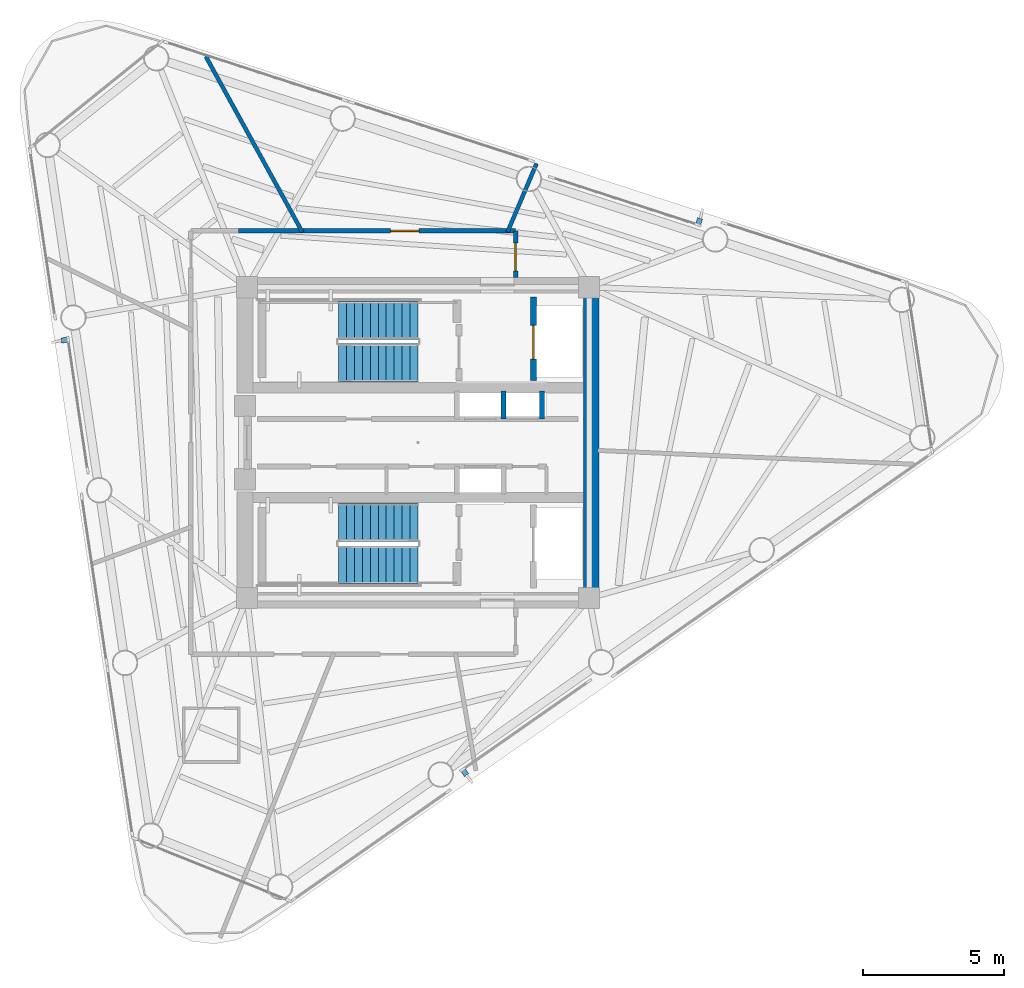
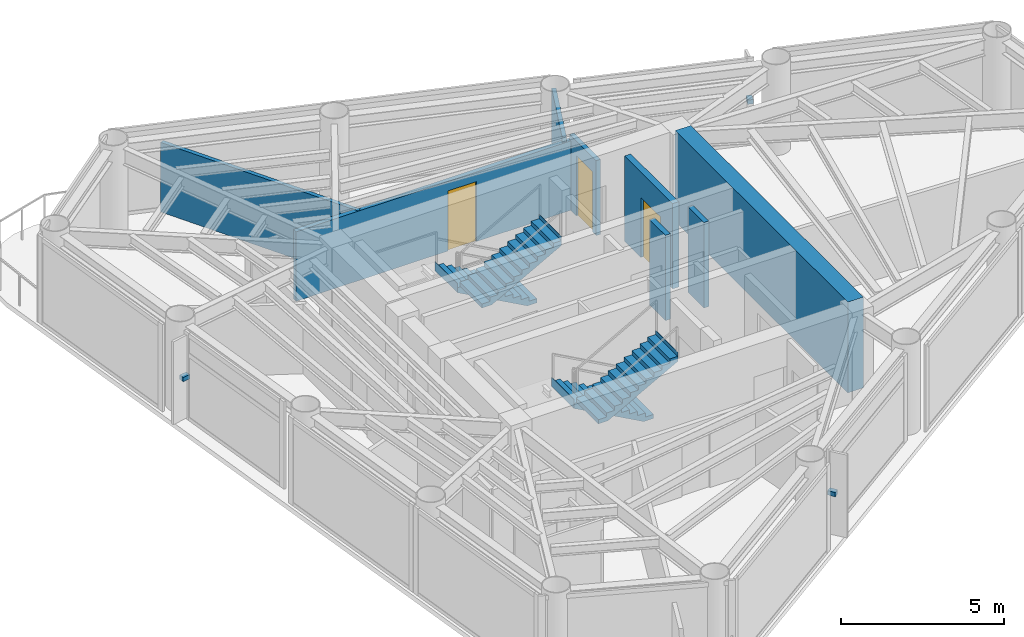
# One storey, part 6 of 9: 8 walls, 4 stair flights, 3 discrete accessories, 3 doors, 3 openings, 2 elements without a shape of their own.
"""IFC4 building model written with IfcOpenShell, lengths in metres."""

from ifc_helpers import new_model, si_unit, direction, frame, frame_2d, origin, origin_2d, place, context, subcontext, project, spatial, polyline, rectangle, outline, extrude, source, transform, mapped, material, layer, layer_set, type_object, element, fill, aggregate, save


model = new_model("IFC4")

# Units and contexts
model_context = context("Model", 3, precision=1e-05, world=origin(), true_north=direction((0.0, 1.0)))
body_context = subcontext(model_context, "Body", "Model", "MODEL_VIEW")
ifc_project = project(units=[si_unit("LENGTHUNIT", "METRE"), si_unit("AREAUNIT", "SQUARE_METRE"), si_unit("VOLUMEUNIT", "CUBIC_METRE"), si_unit("PLANEANGLEUNIT", "RADIAN"), si_unit("MASSUNIT", "GRAM", prefix="KILO")], contexts=[model_context])

# Site, building, storey
site_placement = place(None, origin())
site = spatial("IfcSite", under=ifc_project, at=site_placement, CompositionType="ELEMENT")
building_placement = place(site_placement, origin())
building = spatial("IfcBuilding", under=site, at=building_placement, Name="Yunling Apex Tower", CompositionType="ELEMENT")
storey_placement = place(building_placement, frame((0.0, 0.0, 274.550048828125)))
storey = spatial("IfcBuildingStorey", under=building, at=storey_placement, Name="L67", CompositionType="ELEMENT", Elevation=274.550048828125)

# Wall
ifc_material_1 = material(Name="Concrete C40", Category="concrete")
ifc_layer_1 = layer(ifc_material_1, 0.550048828125)
ifc_layer_set_1 = layer_set([ifc_layer_1], Name="Concrete C40")
wall_type_1 = type_object("IfcWallType", Name="WL-COR-3", PredefinedType="SHEAR", material=ifc_layer_set_1)
wall_1_placement = place(storey_placement, frame((6.125, -5.300048828125, 0.0), z_axis=(0.0, 0.0, 1.0), x_axis=(0.0, 1.0, 0.0)))
element("IfcWall", 1, at=wall_1_placement, inside=storey, type_object=wall_type_1, Name="L67 East Core Shear Wall", PredefinedType="SHEAR", context=body_context, shape_type="SweptSolid", body=[
    extrude(rectangle(XDim=10.60009765625, YDim=0.550048828125, at=frame_2d((5.300048828125, 0.0))), origin(), (0.0, 0.0, 1.0), 3.39990234375),
])

# Wall, opening, door
ifc_material_2 = material(Name="Gypsum board acoustic partition")
ifc_layer_2 = layer(ifc_material_2, 0.159912109375)
ifc_layer_set_2 = layer_set([ifc_layer_2], Name="Gypsum board acoustic partition")
wall_type_2 = type_object("IfcWallType", Name="WL-PRT-1", PredefinedType="PARTITIONING", material=ifc_layer_set_2)
wall_2_placement = place(storey_placement, frame((-6.360107421875, 7.489990234375, 0.0), z_axis=(0.0, 0.0, 1.0), x_axis=(1.0, 0.0, 0.0)))
wall_2 = element("IfcWall", 2, at=wall_2_placement, inside=storey, type_object=wall_type_2, Name="WL-CORR-L67-03", PredefinedType="PARTITIONING", context=body_context, shape_type="SweptSolid", body=[
    extrude(rectangle(XDim=9.81005859375, YDim=0.159912109375, at=frame_2d((4.905029296875, 0.0))), origin(), (0.0, 0.0, 1.0), 2.60498046875),
])
opening_1_placement = place(wall_2_placement, frame((5.38525390625, 0.0, 0.0)))
opening_1 = element("IfcOpeningElement", 3, at=opening_1_placement, cuts=wall_2, Name="Opening DR-OFF-1", PredefinedType="OPENING", context=body_context, shape_type="SweptSolid", body=[
    extrude(rectangle(XDim=1.0, YDim=2.25, at=frame_2d((0.5, 1.125))), frame((0.0, 0.08984375, 0.0), z_axis=(0.0, -1.0, 0.0), x_axis=(1.0, 0.0, 0.0)), (0.0, 0.0, 1.0), 0.179931640625),
])
ifc_material_3 = material(Name="Bronze anodised aluminium", Category="aluminium")
door_type_1 = type_object("IfcDoorType", Name="DR-OFF-1", OperationType="NOTDEFINED", PredefinedType="DOOR", material=ifc_material_3)
door_1_placement = place(opening_1_placement, origin())
door_1 = element("IfcDoor", 4, at=door_1_placement, inside=storey, type_object=door_type_1, Name="L67 Residents Cinema Club Door", OperationType="SINGLE_SWING_LEFT", OverallHeight=2.25, OverallWidth=1.0, PredefinedType="DOOR", context=body_context, shape_type="SweptSolid", body=[
    extrude(rectangle(XDim=1.0, YDim=2.25, at=frame_2d((0.5, 1.125))), frame((0.0, 0.02490234375, 0.0), z_axis=(0.0, -1.0, 0.0), x_axis=(1.0, 0.0, 0.0)), (0.0, 0.0, 1.0), 0.050048828125),
])
fill(opening_1, door_1)

wall_3_placement = place(storey_placement, frame((3.449951171875, 7.489990234375, 0.0), z_axis=(0.0, 0.0, 1.0), x_axis=(0.0, -1.0, 0.0)))
wall_3 = element("IfcWall", 5, at=wall_3_placement, inside=storey, type_object=wall_type_2, Name="WL-CORR-L67-04", PredefinedType="PARTITIONING", context=body_context, shape_type="SweptSolid", body=[
    extrude(rectangle(XDim=1.639892578125, YDim=0.159912109375, at=frame_2d((0.81982421875, 0.0))), origin(), (0.0, 0.0, 1.0), 2.804931640625),
])
opening_2_placement = place(wall_3_placement, frame((0.419921875, 0.0, 0.0)))
opening_2 = element("IfcOpeningElement", 6, at=opening_2_placement, cuts=wall_3, Name="Opening DR-OFF-1", PredefinedType="OPENING", context=body_context, shape_type="SweptSolid", body=[
    extrude(rectangle(XDim=1.0, YDim=2.25, at=frame_2d((0.5, 1.125))), frame((0.0, 0.08984375, 0.0), z_axis=(0.0, -1.0, 0.0), x_axis=(1.0, 0.0, 0.0)), (0.0, 0.0, 1.0), 0.179931640625),
])
door_2_placement = place(opening_2_placement, origin())
door_2 = element("IfcDoor", 7, at=door_2_placement, inside=storey, type_object=door_type_1, Name="L67 Residents Music Salon Door", OperationType="SINGLE_SWING_RIGHT", OverallHeight=2.25, OverallWidth=1.0, PredefinedType="DOOR", context=body_context, shape_type="SweptSolid", body=[
    extrude(rectangle(XDim=1.0, YDim=2.25, at=frame_2d((0.5, 1.125))), frame((0.0, 0.02490234375, 0.0), z_axis=(0.0, -1.0, 0.0), x_axis=(1.0, 0.0, 0.0)), (0.0, 0.0, 1.0), 0.050048828125),
])
fill(opening_2, door_2)

# Walls
ifc_layer_3 = layer(ifc_material_2, 0.139892578125)
ifc_layer_set_3 = layer_set([ifc_layer_3], Name="Gypsum board acoustic partition")
wall_type_3 = type_object("IfcWallType", Name="WL-PRT-2", PredefinedType="PARTITIONING", material=ifc_layer_set_3)
wall_4_placement = place(storey_placement, frame((3.162353515625, 7.449951171875, 0.0), z_axis=(0.0, 0.0, 1.0), x_axis=(0.390769134848, 0.920488719784, 0.0)))
element("IfcWall", 8, at=wall_4_placement, inside=storey, type_object=wall_type_3, Name="WL-RAD-L67-02", PredefinedType="PARTITIONING", context=body_context, shape_type="SweptSolid", body=[
    extrude(rectangle(XDim=2.63037109375, YDim=0.139892578125, at=frame_2d((1.315185546875, 0.0))), origin(), (0.0, 0.0, 1.0), 2.804931640625),
])
wall_5_placement = place(storey_placement, frame((-4.095703125, 7.449951171875, 0.0), z_axis=(0.0, 0.0, 1.0), x_axis=(-0.481753550604, 0.876306747937, 0.0)))
element("IfcWall", 9, at=wall_5_placement, inside=storey, type_object=wall_type_3, Name="WL-RAD-L67-03", PredefinedType="PARTITIONING", context=body_context, shape_type="SweptSolid", body=[
    extrude(rectangle(XDim=7.091796875, YDim=0.139892578125, at=frame_2d((3.5458984375, 0.0))), origin(), (0.0, 0.0, 1.0), 2.60498046875),
])

# Wall, opening, door
ifc_material_4 = material(Name="Autoclaved aerated concrete masonry", Category="masonry")
ifc_layer_4 = layer(ifc_material_4, 0.219970703125)
ifc_layer_set_4 = layer_set([ifc_layer_4], Name="Autoclaved aerated concrete masonry")
wall_type_4 = type_object("IfcWallType", Name="WL-SHF-1", PredefinedType="PLUMBINGWALL", material=ifc_layer_set_4)
wall_6_placement = place(storey_placement, frame((4.080078125, 2.199951171875, 0.0), z_axis=(0.0, 0.0, 1.0), x_axis=(0.0, 1.0, 0.0)))
wall_6 = element("IfcWall", 10, at=wall_6_placement, inside=storey, type_object=wall_type_4, Name="WL-FFL1-W-L67", PredefinedType="PLUMBINGWALL", context=body_context, shape_type="SweptSolid", body=[
    extrude(rectangle(XDim=2.949951171875, YDim=0.219970703125, at=frame_2d((1.47509765625, 0.0))), origin(), (0.0, 0.0, 1.0), 3.199951171875),
])
opening_3_placement = place(wall_6_placement, frame((0.75, 0.0, 0.0)))
opening_3 = element("IfcOpeningElement", 11, at=opening_3_placement, cuts=wall_6, Name="Opening LD-FFL-1", PredefinedType="OPENING", context=body_context, shape_type="SweptSolid", body=[
    extrude(rectangle(XDim=1.199951171875, YDim=2.25, at=frame_2d((0.60009765625, 1.125))), frame((0.0, 0.1201171875, 0.0), z_axis=(0.0, -1.0, 0.0), x_axis=(1.0, 0.0, 0.0)), (0.0, 0.0, 1.0), 0.239990234375),
])
ifc_material_5 = material(Name="Steel Q355B", Category="steel")
door_type_2 = type_object("IfcDoorType", Name="LD-FFL-1", OperationType="DOUBLE_DOOR_SLIDING", PredefinedType="DOOR", material=ifc_material_5)
door_3_placement = place(opening_3_placement, origin())
door_3 = element("IfcDoor", 12, at=door_3_placement, inside=storey, type_object=door_type_2, Name="L67 Lift FFL-1 Landing Door", OperationType="DOUBLE_DOOR_SLIDING", OverallHeight=2.25, OverallWidth=1.199951171875, PredefinedType="DOOR", context=body_context, shape_type="SweptSolid", body=[
    extrude(rectangle(XDim=1.199951171875, YDim=2.25, at=frame_2d((0.60009765625, 1.125))), frame((0.0, 0.02490234375, 0.0), z_axis=(0.0, -1.0, 0.0), x_axis=(1.0, 0.0, 0.0)), (0.0, 0.0, 1.0), 0.050048828125),
])
fill(opening_3, door_3)

# Walls
ifc_layer_5 = layer(ifc_material_4, 0.179931640625)
ifc_layer_set_5 = layer_set([ifc_layer_5], Name="Autoclaved aerated concrete masonry")
wall_type_5 = type_object("IfcWallType", Name="WL-SHF-2", PredefinedType="PLUMBINGWALL", material=ifc_layer_set_5)
for number, where, z_axis, x_axis, name in (
    (13, (3.02001953125, 0.840087890625, 0.0), (0.0, 0.0, 1.0), (0.0, 1.0, 0.0), "WL-DIV-H13-L67"),
    (14, (4.3798828125, 0.840087890625, 0.0), (0.0, 0.0, 1.0), (0.0, 1.0, 0.0), "WL-END-H3E-L67"),
):
    element("IfcWall", number, at=place(storey_placement, frame(where, z_axis=z_axis, x_axis=x_axis)), inside=storey, type_object=wall_type_5, Name=name, PredefinedType="PLUMBINGWALL", context=body_context, shape_type="SweptSolid", body=[
        extrude(rectangle(XDim=0.97998046875, YDim=0.179931640625, at=frame_2d((0.489990234375, 0.0))), origin(), (0.0, 0.0, 1.0), 3.199951171875),
    ])

# Stair, stair flights
stair_type = type_object("IfcStairType", Name="ST-TWR-3", PredefinedType="HALF_TURN_STAIR", material=ifc_material_1)
stair_1_placement = place(storey_placement, origin())
stair_1 = element("IfcStair", 15, at=stair_1_placement, inside=storey, type_object=stair_type, Name="L67 North Core Smokeproof Exit Stair ST-1", PredefinedType="HALF_TURN_STAIR")
stair_flight_type = type_object("IfcStairFlightType", Name="SFL-TWR-3", PredefinedType="STRAIGHT", material=ifc_material_1)
stair_flight_1_placement = place(storey_placement, frame((-0.010009765625, 4.330078125, 0.0), z_axis=(0.0, 0.0, 1.0), x_axis=(-1.0, 0.0, 0.0)))
stair_flight_1 = element("IfcStairFlight", 16, at=stair_flight_1_placement, type_object=stair_flight_type, Name="ST-1 flight 1", NumberOfRisers=11, NumberOfTreads=10, PredefinedType="STRAIGHT", RiserHeight=0.154545455, TreadLength=0.28, context=body_context, shape_type="SweptSolid", body=[
    extrude(outline(polyline([(-0.011962890625, 0.0), (-0.011962890625, 0.154541015625), (0.0, 0.154541015625), (0.280029296875, 0.154541015625), (0.280029296875, 0.30908203125), (0.56005859375, 0.30908203125), (0.56005859375, 0.463623046875), (0.840087890625, 0.463623046875), (0.840087890625, 0.6181640625), (1.1201171875, 0.6181640625), (1.1201171875, 0.772705078125), (1.39990234375, 0.772705078125), (1.39990234375, 0.92724609375), (1.679931640625, 0.92724609375), (1.679931640625, 1.081787109375), (1.9599609375, 1.081787109375), (1.9599609375, 1.236328125), (2.239990234375, 1.236328125), (2.239990234375, 1.390869140625), (2.52001953125, 1.390869140625), (2.52001953125, 1.54541015625), (2.800048828125, 1.54541015625), (2.800048828125, 1.699951171875), (2.81201171875, 1.699951171875), (2.81201171875, 1.36279296875), (0.330810546875, 0.0), (-0.011962890625, 0.0)])), frame((0.0, 0.68017578125, 0.0), z_axis=(0.0, -1.0, 0.0), x_axis=(1.0, 0.0, 0.0)), (0.0, 0.0, 1.0), 1.360107421875),
])
stair_flight_2_placement = place(storey_placement, frame((-2.81005859375, 2.820068359375, 1.699951171875), z_axis=(0.0, 0.0, 1.0), x_axis=(1.0, 0.0, 0.0)))
stair_flight_2 = element("IfcStairFlight", 17, at=stair_flight_2_placement, type_object=stair_flight_type, Name="ST-1 flight 2", NumberOfRisers=11, NumberOfTreads=10, PredefinedType="STRAIGHT", RiserHeight=0.154545455, TreadLength=0.28, context=body_context, shape_type="SweptSolid", body=[
    extrude(outline(polyline([(-0.011962890625, 0.0), (-0.011962890625, 0.154541015625), (0.0, 0.154541015625), (0.280029296875, 0.154541015625), (0.280029296875, 0.30908203125), (0.56005859375, 0.30908203125), (0.56005859375, 0.463623046875), (0.840087890625, 0.463623046875), (0.840087890625, 0.6181640625), (1.1201171875, 0.6181640625), (1.1201171875, 0.772705078125), (1.39990234375, 0.772705078125), (1.39990234375, 0.92724609375), (1.679931640625, 0.92724609375), (1.679931640625, 1.081787109375), (1.9599609375, 1.081787109375), (1.9599609375, 1.236328125), (2.239990234375, 1.236328125), (2.239990234375, 1.390869140625), (2.52001953125, 1.390869140625), (2.52001953125, 1.54541015625), (2.800048828125, 1.54541015625), (2.800048828125, 1.699951171875), (2.81201171875, 1.699951171875), (2.81201171875, 1.36279296875), (0.330810546875, 0.0), (-0.011962890625, 0.0)])), frame((0.0, 0.68017578125, 0.0), z_axis=(0.0, -1.0, 0.0), x_axis=(1.0, 0.0, 0.0)), (0.0, 0.0, 1.0), 1.360107421875),
])
aggregate(stair_1, [stair_flight_1, stair_flight_2])

stair_2_placement = place(storey_placement, origin())
stair_2 = element("IfcStair", 18, at=stair_2_placement, inside=storey, type_object=stair_type, Name="L67 South Core Smokeproof Exit Stair ST-2", PredefinedType="HALF_TURN_STAIR")
stair_flight_3_placement = place(storey_placement, frame((-0.010009765625, -2.820068359375, 0.0), z_axis=(0.0, 0.0, 1.0), x_axis=(-1.0, 0.0, 0.0)))
stair_flight_3 = element("IfcStairFlight", 19, at=stair_flight_3_placement, type_object=stair_flight_type, Name="ST-2 flight 1", NumberOfRisers=11, NumberOfTreads=10, PredefinedType="STRAIGHT", RiserHeight=0.154545455, TreadLength=0.28, context=body_context, shape_type="SweptSolid", body=[
    extrude(outline(polyline([(-0.011962890625, 0.0), (-0.011962890625, 0.154541015625), (0.0, 0.154541015625), (0.280029296875, 0.154541015625), (0.280029296875, 0.30908203125), (0.56005859375, 0.30908203125), (0.56005859375, 0.463623046875), (0.840087890625, 0.463623046875), (0.840087890625, 0.6181640625), (1.1201171875, 0.6181640625), (1.1201171875, 0.772705078125), (1.39990234375, 0.772705078125), (1.39990234375, 0.92724609375), (1.679931640625, 0.92724609375), (1.679931640625, 1.081787109375), (1.9599609375, 1.081787109375), (1.9599609375, 1.236328125), (2.239990234375, 1.236328125), (2.239990234375, 1.390869140625), (2.52001953125, 1.390869140625), (2.52001953125, 1.54541015625), (2.800048828125, 1.54541015625), (2.800048828125, 1.699951171875), (2.81201171875, 1.699951171875), (2.81201171875, 1.36279296875), (0.330810546875, 0.0), (-0.011962890625, 0.0)])), frame((0.0, 0.68017578125, 0.0), z_axis=(0.0, -1.0, 0.0), x_axis=(1.0, 0.0, 0.0)), (0.0, 0.0, 1.0), 1.360107421875),
])
stair_flight_4_placement = place(storey_placement, frame((-2.81005859375, -4.330078125, 1.699951171875), z_axis=(0.0, 0.0, 1.0), x_axis=(1.0, 0.0, 0.0)))
stair_flight_4 = element("IfcStairFlight", 20, at=stair_flight_4_placement, type_object=stair_flight_type, Name="ST-2 flight 2", NumberOfRisers=11, NumberOfTreads=10, PredefinedType="STRAIGHT", RiserHeight=0.154545455, TreadLength=0.28, context=body_context, shape_type="SweptSolid", body=[
    extrude(outline(polyline([(-0.011962890625, 0.0), (-0.011962890625, 0.154541015625), (0.0, 0.154541015625), (0.280029296875, 0.154541015625), (0.280029296875, 0.30908203125), (0.56005859375, 0.30908203125), (0.56005859375, 0.463623046875), (0.840087890625, 0.463623046875), (0.840087890625, 0.6181640625), (1.1201171875, 0.6181640625), (1.1201171875, 0.772705078125), (1.39990234375, 0.772705078125), (1.39990234375, 0.92724609375), (1.679931640625, 0.92724609375), (1.679931640625, 1.081787109375), (1.9599609375, 1.081787109375), (1.9599609375, 1.236328125), (2.239990234375, 1.236328125), (2.239990234375, 1.390869140625), (2.52001953125, 1.390869140625), (2.52001953125, 1.54541015625), (2.800048828125, 1.54541015625), (2.800048828125, 1.699951171875), (2.81201171875, 1.699951171875), (2.81201171875, 1.36279296875), (0.330810546875, 0.0), (-0.011962890625, 0.0)])), frame((0.0, 0.68017578125, 0.0), z_axis=(0.0, -1.0, 0.0), x_axis=(1.0, 0.0, 0.0)), (0.0, 0.0, 1.0), 1.360107421875),
])
aggregate(stair_2, [stair_flight_3, stair_flight_4])

# Discrete accessories
discrete_accessory_type = type_object("IfcDiscreteAccessoryType", Name="BK-FIN-1", PredefinedType="BRACKET", material=ifc_material_5)
shared_shape = source(origin(), body_context, "Body", "SweptSolid", [
    extrude(rectangle(XDim=0.179931640625, YDim=0.260009765625, at=origin_2d()), origin(), (0.0, 0.0, 1.0), 0.159912109375),
])
for number, where, z_axis, x_axis, name in (
    (21, (1.638427734375, -11.656982421875, 1.52978515625), (0.0, 0.0, 1.0), (0.819552276527, 0.573004420611, 0.0), "CW-L67-F1-B2-BRK-01-1"),
    (22, (9.938720703125, 7.80810546875, 1.52978515625), (0.0, 0.0, 1.0), (-0.951272019071, 0.30835295642, 0.0), "CW-L67-F2-B2-BRK-01-1"),
    (23, (-12.492919921875, 3.630615234375, 1.52978515625), (0.0, 0.0, 1.0), (0.14780941113, -0.989015863362, 0.0), "CW-L67-F3-B2-BRK-01-1"),
):
    element("IfcDiscreteAccessory", number, at=place(storey_placement, frame(where, z_axis=z_axis, x_axis=x_axis)), inside=storey, type_object=discrete_accessory_type, Name=name, PredefinedType="BRACKET", context=body_context, shape_type="MappedRepresentation", body=[
        mapped(shared_shape, transform((0.0, 0.0, 0.0), scale=1.0)),
    ])

save(model, "model.ifc")
